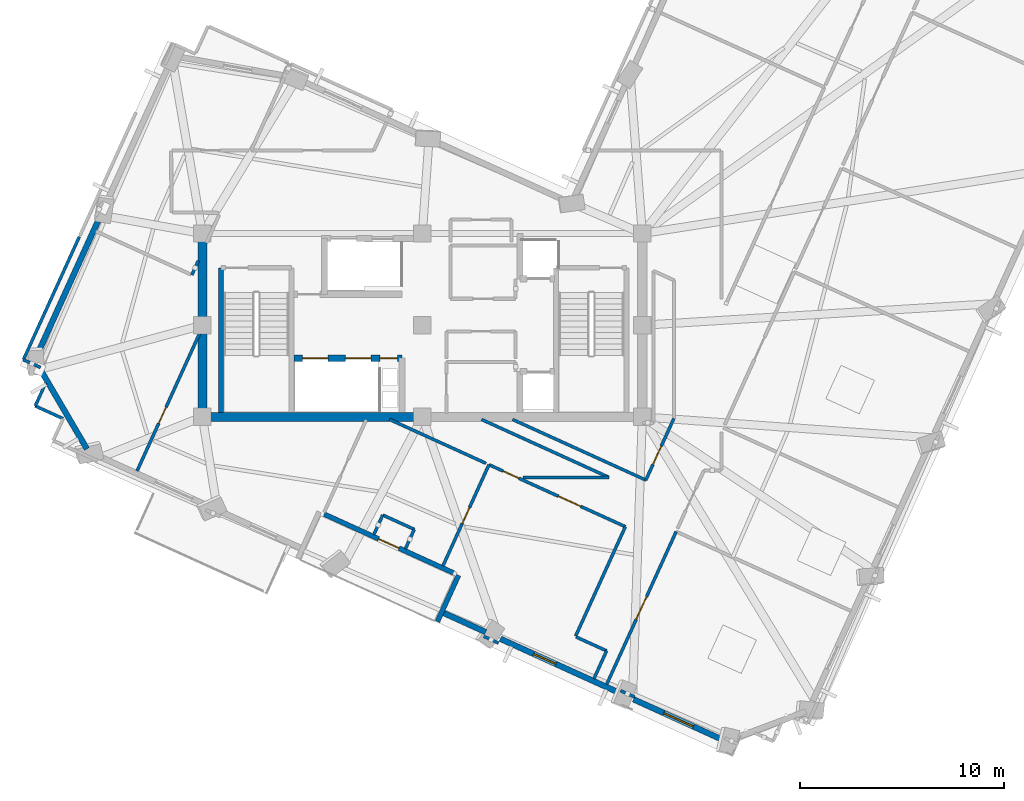
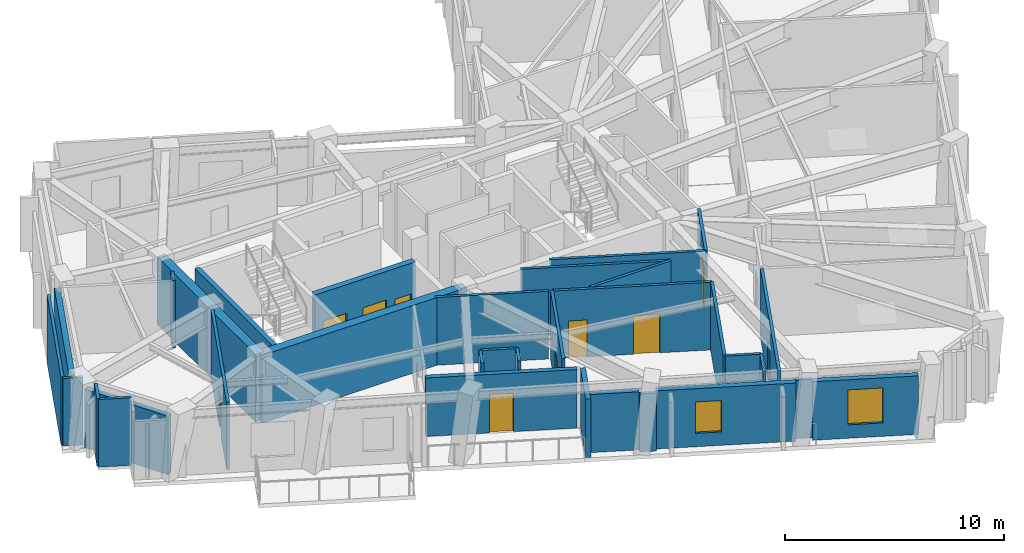
# One storey, part 5 of 13: 33 walls, 10 doors, 2 windows, 12 openings.
"""IFC4 building model written with IfcOpenShell, lengths in metres."""

from ifc_helpers import new_model, si_unit, direction, frame, frame_2d, origin, place, context, subcontext, project, spatial, rectangle, extrude, material, layer, layer_set, type_object, element, fill, save


model = new_model("IFC4")

# Units and contexts
model_context = context("Model", 3, precision=1e-05, world=origin(), true_north=direction((0.0, 1.0)))
body_context = subcontext(model_context, "Body", "Model", "MODEL_VIEW")
ifc_project = project(units=[si_unit("LENGTHUNIT", "METRE"), si_unit("AREAUNIT", "SQUARE_METRE"), si_unit("VOLUMEUNIT", "CUBIC_METRE"), si_unit("PLANEANGLEUNIT", "RADIAN"), si_unit("MASSUNIT", "GRAM", prefix="KILO")], contexts=[model_context])

# Site, building, storey
site_placement = place(None, origin())
site = spatial("IfcSite", under=ifc_project, at=site_placement, CompositionType="ELEMENT")
building_placement = place(site_placement, origin())
building = spatial("IfcBuilding", under=site, at=building_placement, Name="Gaonmaruhae Medical Tower", CompositionType="ELEMENT")
storey_placement = place(building_placement, frame((0.0, 0.0, 304.60009765625)))
storey = spatial("IfcBuildingStorey", under=building, at=storey_placement, Name="L73", CompositionType="ELEMENT", Elevation=304.60009765625)

# Walls
ifc_material_1 = material(Name="Concrete C50/60", Category="concrete")
ifc_layer_1 = layer(ifc_material_1, 0.449951171875)
ifc_layer_set_1 = layer_set([ifc_layer_1], Name="Concrete C50/60")
wall_type_1 = type_object("IfcWallType", Name="CW-450 Upper Core Shear Wall", PredefinedType="SHEAR", material=ifc_layer_set_1)
wall_1_placement = place(storey_placement, frame((14.0, 7.800048828125, 0.0), z_axis=(0.0, 0.0, 1.0), x_axis=(1.0, 0.0, 0.0)))
element("IfcWall", 1, at=wall_1_placement, inside=storey, type_object=wall_type_1, Name="L73 Core Shear Wall CSW-S1", PredefinedType="SHEAR", context=body_context, shape_type="SweptSolid", body=[
    extrude(rectangle(XDim=10.800048828125, YDim=0.449951171875, at=frame_2d((5.39990234375, 0.0))), origin(), (0.0, 0.0, 1.0), 3.77978515625),
])
wall_2_placement = place(storey_placement, frame((14.0, 16.800048828125, 0.0), z_axis=(0.0, 0.0, 1.0), x_axis=(0.0, -1.0, 0.0)))
element("IfcWall", 2, at=wall_2_placement, inside=storey, type_object=wall_type_1, Name="L73 Core Shear Wall CSW-W1", PredefinedType="SHEAR", context=body_context, shape_type="SweptSolid", body=[
    extrude(rectangle(XDim=9.0, YDim=0.449951171875, at=frame_2d((4.5, 0.0))), origin(), (0.0, 0.0, 1.0), 3.77978515625),
])

# Wall, opening, door
ifc_material_2 = material(Name="Precast concrete C45/55", Category="concrete")
ifc_layer_2 = layer(ifc_material_2, 0.239990234375)
ifc_layer_set_2 = layer_set([ifc_layer_2], Name="Precast concrete C45/55")
wall_type_2 = type_object("IfcWallType", Name="EW-240 Ribbon & Shelter Insulated Precast Wall", PredefinedType="SOLIDWALL", material=ifc_layer_set_2)
wall_3_placement = place(storey_placement, frame((26.321044921875, 0.141357421875, 0.0), z_axis=(0.0, 0.0, 1.0), x_axis=(-0.910318420634, 0.413908653032, 0.0)))
wall_3 = element("IfcWall", 3, at=wall_3_placement, inside=storey, type_object=wall_type_2, Name="L73 Recessed Terrace Enclosure Wall TERB", PredefinedType="SOLIDWALL", context=body_context, shape_type="SweptSolid", body=[
    extrude(rectangle(XDim=6.960205078125, YDim=0.239990234375, at=frame_2d((3.47998046875, 0.0))), origin(), (0.0, 0.0, 1.0), 3.264892578125),
])
opening_1_placement = place(wall_3_placement, frame((2.929931640625, 0.0, 0.0)))
opening_1 = element("IfcOpeningElement", 4, at=opening_1_placement, cuts=wall_3, Name="Opening TD-01", PredefinedType="OPENING", context=body_context, shape_type="SweptSolid", body=[
    extrude(rectangle(XDim=1.10009765625, YDim=2.14990234375, at=frame_2d((0.550048828125, 1.074951171875))), frame((0.0, 0.1298828125, 0.0), z_axis=(0.0, -1.0, 0.0), x_axis=(1.0, 0.0, 0.0)), (0.0, 0.0, 1.0), 0.260009765625),
])
ifc_material_3 = material(Name="Anodised aluminium and toughened safety glass", Category="aluminium")
door_type_1 = type_object("IfcDoorType", Name="TD-01 Terrace & Sky Garden Glazed Door 1100x2150", OperationType="NOTDEFINED", PredefinedType="DOOR", material=ifc_material_3)
door_1_placement = place(opening_1_placement, origin())
door_1 = element("IfcDoor", 5, at=door_1_placement, inside=storey, type_object=door_type_1, Name="L73 Outdoor Terrace Access Door SLB-L73-TER", OperationType="SINGLE_SWING_RIGHT", OverallHeight=2.14990234375, OverallWidth=1.10009765625, PredefinedType="DOOR", context=body_context, shape_type="SweptSolid", body=[
    extrude(rectangle(XDim=1.10009765625, YDim=2.14990234375, at=frame_2d((0.550048828125, 1.074951171875))), frame((0.0, 0.02490234375, 0.0), z_axis=(0.0, -1.0, 0.0), x_axis=(1.0, 0.0, 0.0)), (0.0, 0.0, 1.0), 0.050048828125),
])
fill(opening_1, door_1)

# Walls
wall_4_placement = place(storey_placement, frame((25.541259765625, -2.250244140625, 0.0), z_axis=(0.0, 0.0, 1.0), x_axis=(0.413898598891, 0.91032299204, 0.0)))
element("IfcWall", 6, at=wall_4_placement, inside=storey, type_object=wall_type_2, Name="L73 Recessed Terrace Enclosure Wall TERL", PredefinedType="SOLIDWALL", context=body_context, shape_type="SweptSolid", body=[
    extrude(rectangle(XDim=2.499755859375, YDim=0.239990234375, at=frame_2d((1.25, 0.0))), origin(), (0.0, 0.0, 1.0), 3.264892578125),
])
ifc_layer_3 = layer(ifc_material_2, 0.280029296875)
ifc_layer_set_3 = layer_set([ifc_layer_3], Name="Precast concrete C45/55")
wall_type_3 = type_object("IfcWallType", Name="EW-280 Upper Precast Masonry-Frame Facade Wall", PredefinedType="SOLIDWALL", material=ifc_layer_set_3)
wall_5_placement = place(storey_placement, frame((5.849609375, 10.75830078125, 0.0), z_axis=(0.0, 0.0, 1.0), x_axis=(0.41389878739, 0.910322906334, 0.0)))
element("IfcWall", 7, at=wall_5_placement, inside=storey, type_object=wall_type_3, Name="L73 Precast Masonry-Frame Wall N02-N03", PredefinedType="SOLIDWALL", context=body_context, shape_type="SweptSolid", body=[
    extrude(rectangle(XDim=7.484619140625, YDim=0.280029296875, at=frame_2d((3.7421875, 0.0))), origin(), (0.0, 0.0, 1.0), 3.264892578125),
])
wall_6_placement = place(storey_placement, frame((8.331787109375, 6.221923828125, 0.0), z_axis=(0.0, 0.0, 1.0), x_axis=(-0.505000103643, 0.863119282209, 0.0)))
element("IfcWall", 8, at=wall_6_placement, inside=storey, type_object=wall_type_3, Name="L73 Precast Masonry-Frame Wall N03-W01", PredefinedType="SOLIDWALL", context=body_context, shape_type="SweptSolid", body=[
    extrude(rectangle(XDim=4.407958984375, YDim=0.280029296875, at=frame_2d((2.2041015625, 0.0))), origin(), (0.0, 0.0, 1.0), 3.264892578125),
])
wall_7_placement = place(storey_placement, frame((27.912841796875, -2.768310546875, 0.0), z_axis=(0.0, 0.0, 1.0), x_axis=(-0.910313179129, 0.413920180595, 0.0)))
element("IfcWall", 9, at=wall_7_placement, inside=storey, type_object=wall_type_3, Name="L73 Precast Masonry-Frame Wall W03-W04", PredefinedType="SOLIDWALL", context=body_context, shape_type="SweptSolid", body=[
    extrude(rectangle(XDim=2.353515625, YDim=0.280029296875, at=frame_2d((1.1767578125, 0.0))), origin(), (0.0, 0.0, 1.0), 3.244873046875),
])

# Wall, opening, window
wall_8_placement = place(storey_placement, frame((34.478515625, -5.753662109375, 0.0), z_axis=(0.0, 0.0, 1.0), x_axis=(-0.910317021568, 0.413911730014, 0.0)))
wall_8 = element("IfcWall", 10, at=wall_8_placement, inside=storey, type_object=wall_type_3, Name="L73 Precast Masonry-Frame Wall W04-W05", PredefinedType="SOLIDWALL", context=body_context, shape_type="SweptSolid", body=[
    extrude(rectangle(XDim=6.425048828125, YDim=0.280029296875, at=frame_2d((3.21240234375, 0.0))), origin(), (0.0, 0.0, 1.0), 3.244873046875),
])
opening_2_placement = place(wall_8_placement, frame((3.431884765625, 0.0, 0.75)))
opening_2 = element("IfcOpeningElement", 11, at=opening_2_placement, cuts=wall_8, Name="Opening WN-05", PredefinedType="OPENING", context=body_context, shape_type="SweptSolid", body=[
    extrude(rectangle(XDim=1.199951171875, YDim=1.75, at=frame_2d((0.60009765625, 0.875))), frame((0.0, 0.14990234375, 0.0), z_axis=(0.0, -1.0, 0.0), x_axis=(1.0, 0.0, 0.0)), (0.0, 0.0, 1.0), 0.300048828125),
])
ifc_material_4 = material(Name="Anodised aluminium and Low-E double glazing", Category="aluminium")
window_type_1 = type_object("IfcWindowType", Name="WN-05 Support & Staff Punched Window 1200x1750", PartitioningType="SINGLE_PANEL", PredefinedType="WINDOW", material=ifc_material_4)
window_1_placement = place(opening_2_placement, origin())
window_1 = element("IfcWindow", 12, at=window_1_placement, inside=storey, type_object=window_type_1, Name="L73 Modular Facade Window W04", OverallHeight=1.75, OverallWidth=1.199951171875, PartitioningType="SINGLE_PANEL", PredefinedType="WINDOW", context=body_context, shape_type="SweptSolid", body=[
    extrude(rectangle(XDim=1.199951171875, YDim=1.75, at=frame_2d((0.60009765625, 0.875))), frame((0.0, 0.030029296875, 0.0), z_axis=(0.0, -1.0, 0.0), x_axis=(1.0, 0.0, 0.0)), (0.0, 0.0, 1.0), 0.06005859375),
])
fill(opening_2, window_1)

wall_9_placement = place(storey_placement, frame((39.591796875, -8.078369140625, 0.0), z_axis=(0.0, 0.0, 1.0), x_axis=(-0.910319979906, 0.413905223672, 0.0)))
wall_9 = element("IfcWall", 13, at=wall_9_placement, inside=storey, type_object=wall_type_3, Name="L73 Precast Masonry-Frame Wall W05-W06", PredefinedType="SOLIDWALL", context=body_context, shape_type="SweptSolid", body=[
    extrude(rectangle(XDim=4.855712890625, YDim=0.280029296875, at=frame_2d((2.427734375, 0.0))), origin(), (0.0, 0.0, 1.0), 3.264892578125),
])
opening_3_placement = place(wall_9_placement, frame((1.632568359375, 0.0, 0.75)))
opening_3 = element("IfcOpeningElement", 14, at=opening_3_placement, cuts=wall_9, Name="Opening WN-01", PredefinedType="OPENING", context=body_context, shape_type="SweptSolid", body=[
    extrude(rectangle(XDim=1.60009765625, YDim=1.949951171875, at=frame_2d((0.800048828125, 0.97509765625))), frame((0.0, 0.14990234375, 0.0), z_axis=(0.0, -1.0, 0.0), x_axis=(1.0, 0.0, 0.0)), (0.0, 0.0, 1.0), 0.300048828125),
])
window_type_2 = type_object("IfcWindowType", Name="WN-01 Ward Punched Acoustic Window 1600x1950", PartitioningType="SINGLE_PANEL", PredefinedType="WINDOW", material=ifc_material_4)
window_2_placement = place(opening_3_placement, origin())
window_2 = element("IfcWindow", 15, at=window_2_placement, inside=storey, type_object=window_type_2, Name="L73 Modular Facade Window W05", OverallHeight=1.949951171875, OverallWidth=1.60009765625, PartitioningType="SINGLE_PANEL", PredefinedType="WINDOW", context=body_context, shape_type="SweptSolid", body=[
    extrude(rectangle(XDim=1.60009765625, YDim=1.949951171875, at=frame_2d((0.800048828125, 0.97509765625))), frame((0.0, 0.030029296875, 0.0), z_axis=(0.0, -1.0, 0.0), x_axis=(1.0, 0.0, 0.0)), (0.0, 0.0, 1.0), 0.06005859375),
])
fill(opening_3, window_2)

# Wall
ifc_material_5 = material(Name="Gypsum board partition", Category="gypsum")
ifc_layer_4 = layer(ifc_material_5, 0.14990234375)
ifc_layer_set_4 = layer_set([ifc_layer_4], Name="Gypsum board partition")
wall_type_4 = type_object("IfcWallType", Name="PW-150 Rated Clinical Corridor Partition", PredefinedType="PARTITIONING", material=ifc_layer_set_4)
wall_10_placement = place(storey_placement, frame((35.222900390625, -5.955078125, 0.0), z_axis=(0.0, 0.0, 1.0), x_axis=(-0.910245613869, 0.414068741193, 0.0)))
element("IfcWall", 16, at=wall_10_placement, inside=storey, type_object=wall_type_4, Name="L73 Interior Partition L73-SUP01-16", PredefinedType="PARTITIONING", context=body_context, shape_type="SweptSolid", body=[
    extrude(rectangle(XDim=0.76123046875, YDim=0.14990234375, at=frame_2d((0.380615234375, 0.0))), origin(), (0.0, 0.0, 1.0), 3.264892578125),
])

# Wall, opening, door
wall_11_placement = place(storey_placement, frame((33.85107421875, -5.3310546875, 0.0), z_axis=(0.0, 0.0, 1.0), x_axis=(0.413939108793, 0.910304572224, 0.0)))
wall_11 = element("IfcWall", 17, at=wall_11_placement, inside=storey, type_object=wall_type_4, Name="L73 Interior Partition L73-SUP01-17", PredefinedType="PARTITIONING", context=body_context, shape_type="SweptSolid", body=[
    extrude(rectangle(XDim=8.239990234375, YDim=0.14990234375, at=frame_2d((4.1201171875, 0.0))), origin(), (0.0, 0.0, 1.0), 3.77978515625),
])
opening_4_placement = place(wall_11_placement, frame((3.52001953125, 0.0, 0.0)))
opening_4 = element("IfcOpeningElement", 18, at=opening_4_placement, cuts=wall_11, Name="Opening CD-02", PredefinedType="OPENING", context=body_context, shape_type="SweptSolid", body=[
    extrude(rectangle(XDim=1.199951171875, YDim=2.14990234375, at=frame_2d((0.60009765625, 1.074951171875))), frame((0.0, 0.0849609375, 0.0), z_axis=(0.0, -1.0, 0.0), x_axis=(1.0, 0.0, 0.0)), (0.0, 0.0, 1.0), 0.169921875),
])
ifc_material_6 = material(Name="Antimicrobial laminate timber fire door", Category="wood")
door_type_2 = type_object("IfcDoorType", Name="CD-02 Clinical Treatment & Procedure Door 1200x2150", OperationType="NOTDEFINED", PredefinedType="DOOR", material=ifc_material_6)
door_2_placement = place(opening_4_placement, origin())
door_2 = element("IfcDoor", 19, at=door_2_placement, inside=storey, type_object=door_type_2, Name="L73 Clinical Biomedical Charting Office Door", OperationType="SINGLE_SWING_RIGHT", OverallHeight=2.14990234375, OverallWidth=1.199951171875, PredefinedType="DOOR", context=body_context, shape_type="SweptSolid", body=[
    extrude(rectangle(XDim=1.199951171875, YDim=2.14990234375, at=frame_2d((0.60009765625, 1.074951171875))), frame((0.0, 0.02490234375, 0.0), z_axis=(0.0, -1.0, 0.0), x_axis=(1.0, 0.0, 0.0)), (0.0, 0.0, 1.0), 0.050048828125),
])
fill(opening_4, door_2)

# Walls
wall_12_placement = place(storey_placement, frame((32.340087890625, -3.001953125, 0.0), z_axis=(0.0, 0.0, 1.0), x_axis=(0.910336167928, -0.413869618796, 0.0)))
element("IfcWall", 20, at=wall_12_placement, inside=storey, type_object=wall_type_4, Name="L73 Interior Partition L73-WOF07-41", PredefinedType="PARTITIONING", context=body_context, shape_type="SweptSolid", body=[
    extrude(rectangle(XDim=1.6552734375, YDim=0.14990234375, at=frame_2d((0.82763671875, 0.0))), origin(), (0.0, 0.0, 1.0), 3.77978515625),
])
wall_13_placement = place(storey_placement, frame((33.846923828125, -3.68701171875, 0.0), z_axis=(0.0, 0.0, 1.0), x_axis=(-0.413876284691, -0.910333137357, 0.0)))
element("IfcWall", 21, at=wall_13_placement, inside=storey, type_object=wall_type_4, Name="L73 Interior Partition L73-WOF07-42", PredefinedType="PARTITIONING", context=body_context, shape_type="SweptSolid", body=[
    extrude(rectangle(XDim=1.5048828125, YDim=0.14990234375, at=frame_2d((0.75244140625, 0.0))), origin(), (0.0, 0.0, 1.0), 3.77978515625),
])
wall_14_placement = place(storey_placement, frame((28.533935546875, -3.303955078125, 0.0), z_axis=(0.0, 0.0, 1.0), x_axis=(-0.910100534036, 0.414387521466, 0.0)))
element("IfcWall", 22, at=wall_14_placement, inside=storey, type_object=wall_type_4, Name="L73 Interior Partition L73-WOF07-43", PredefinedType="PARTITIONING", context=body_context, shape_type="SweptSolid", body=[
    extrude(rectangle(XDim=0.78662109375, YDim=0.14990234375, at=frame_2d((0.393310546875, 0.0))), origin(), (0.0, 0.0, 1.0), 3.244873046875),
])

# Wall, opening, door
wall_15_placement = place(storey_placement, frame((25.80908203125, 0.47802734375, 0.0), z_axis=(0.0, 0.0, 1.0), x_axis=(0.414051982824, 0.910253237028, 0.0)))
wall_15 = element("IfcWall", 23, at=wall_15_placement, inside=storey, type_object=wall_type_4, Name="L73 Interior Partition L73-WOF07-44", PredefinedType="PARTITIONING", context=body_context, shape_type="SweptSolid", body=[
    extrude(rectangle(XDim=5.46533203125, YDim=0.14990234375, at=frame_2d((2.732666015625, 0.0))), origin(), (0.0, 0.0, 1.0), 3.77978515625),
])
opening_5_placement = place(wall_15_placement, frame((2.302734375, 0.0, 0.0)))
opening_5 = element("IfcOpeningElement", 24, at=opening_5_placement, cuts=wall_15, Name="Opening AD-01", PredefinedType="OPENING", context=body_context, shape_type="SweptSolid", body=[
    extrude(rectangle(XDim=0.860107421875, YDim=2.06005859375, at=frame_2d((0.43017578125, 1.030029296875))), frame((0.0, 0.0849609375, 0.0), z_axis=(0.0, -1.0, 0.0), x_axis=(1.0, 0.0, 0.0)), (0.0, 0.0, 1.0), 0.169921875),
])
ifc_material_7 = material(Name="Powder-coated steel access door", Category="steel")
door_type_3 = type_object("IfcDoorType", Name="AD-01 Riser & Closet Access Fire Door 860x2060", OperationType="NOTDEFINED", PredefinedType="DOOR", material=ifc_material_7)
door_3_placement = place(opening_5_placement, origin())
door_3 = element("IfcDoor", 25, at=door_3_placement, inside=storey, type_object=door_type_3, Name="L73 Ward Physician Reporting Office Sliding Door", OperationType="SLIDING_TO_LEFT", OverallHeight=2.06005859375, OverallWidth=0.860107421875, PredefinedType="DOOR", context=body_context, shape_type="SweptSolid", body=[
    extrude(rectangle(XDim=0.860107421875, YDim=2.06005859375, at=frame_2d((0.43017578125, 1.030029296875))), frame((0.0, 0.02490234375, 0.0), z_axis=(0.0, -1.0, 0.0), x_axis=(1.0, 0.0, 0.0)), (0.0, 0.0, 1.0), 0.050048828125),
])
fill(opening_5, door_3)

# Wall, openings, doors
wall_16_placement = place(storey_placement, frame((28.072021484375, 5.452880859375, 0.0), z_axis=(0.0, 0.0, 1.0), x_axis=(0.910328957898, -0.413885477412, 0.0)))
wall_16 = element("IfcWall", 26, at=wall_16_placement, inside=storey, type_object=wall_type_4, Name="L73 Interior Partition L73-WOF07-45", PredefinedType="PARTITIONING", context=body_context, shape_type="SweptSolid", body=[
    extrude(rectangle(XDim=7.3544921875, YDim=0.14990234375, at=frame_2d((3.67724609375, 0.0))), origin(), (0.0, 0.0, 1.0), 3.77978515625),
])
opening_6_placement = place(wall_16_placement, frame((3.74853515625, 0.0, 0.0)))
opening_6 = element("IfcOpeningElement", 27, at=opening_6_placement, cuts=wall_16, Name="Opening CD-02", PredefinedType="OPENING", context=body_context, shape_type="SweptSolid", body=[
    extrude(rectangle(XDim=1.199951171875, YDim=2.14990234375, at=frame_2d((0.60009765625, 1.074951171875))), frame((0.0, 0.0849609375, 0.0), z_axis=(0.0, -1.0, 0.0), x_axis=(1.0, 0.0, 0.0)), (0.0, 0.0, 1.0), 0.169921875),
])
opening_7_placement = place(wall_16_placement, frame((0.7548828125, 0.0, 0.0)))
opening_7 = element("IfcOpeningElement", 28, at=opening_7_placement, cuts=wall_16, Name="Opening AD-01", PredefinedType="OPENING", context=body_context, shape_type="SweptSolid", body=[
    extrude(rectangle(XDim=0.860107421875, YDim=2.06005859375, at=frame_2d((0.43017578125, 1.030029296875))), frame((0.0, 0.0849609375, 0.0), z_axis=(0.0, -1.0, 0.0), x_axis=(1.0, 0.0, 0.0)), (0.0, 0.0, 1.0), 0.169921875),
])
door_4_placement = place(opening_7_placement, origin())
door_4 = element("IfcDoor", 29, at=door_4_placement, inside=storey, type_object=door_type_3, Name="L73 Clinical Case Review Office Sliding Door", OperationType="SLIDING_TO_LEFT", OverallHeight=2.06005859375, OverallWidth=0.860107421875, PredefinedType="DOOR", context=body_context, shape_type="SweptSolid", body=[
    extrude(rectangle(XDim=0.860107421875, YDim=2.06005859375, at=frame_2d((0.43017578125, 1.030029296875))), frame((0.0, 0.02490234375, 0.0), z_axis=(0.0, -1.0, 0.0), x_axis=(1.0, 0.0, 0.0)), (0.0, 0.0, 1.0), 0.050048828125),
])
fill(opening_7, door_4)
door_5_placement = place(opening_6_placement, origin())
door_5 = element("IfcDoor", 30, at=door_5_placement, inside=storey, type_object=door_type_2, Name="L73 Ward Physician Reporting Office Door", OperationType="SINGLE_SWING_LEFT", OverallHeight=2.14990234375, OverallWidth=1.199951171875, PredefinedType="DOOR", context=body_context, shape_type="SweptSolid", body=[
    extrude(rectangle(XDim=1.199951171875, YDim=2.14990234375, at=frame_2d((0.60009765625, 1.074951171875))), frame((0.0, 0.02490234375, 0.0), z_axis=(0.0, -1.0, 0.0), x_axis=(1.0, 0.0, 0.0)), (0.0, 0.0, 1.0), 0.050048828125),
])
fill(opening_6, door_5)

# Walls
wall_17_placement = place(storey_placement, frame((34.76708984375, 2.408935546875, 0.0), z_axis=(0.0, 0.0, 1.0), x_axis=(-0.413855914094, -0.910342398425, 0.0)))
element("IfcWall", 31, at=wall_17_placement, inside=storey, type_object=wall_type_4, Name="L73 Interior Partition L73-WOF07-46", PredefinedType="PARTITIONING", context=body_context, shape_type="SweptSolid", body=[
    extrude(rectangle(XDim=5.9033203125, YDim=0.14990234375, at=frame_2d((2.95166015625, 0.0))), origin(), (0.0, 0.0, 1.0), 3.77978515625),
])
wall_18_placement = place(storey_placement, frame((23.966064453125, 1.31689453125, 0.0), z_axis=(0.0, 0.0, 1.0), x_axis=(0.414238787533, 0.910168240988, 0.0)))
element("IfcWall", 32, at=wall_18_placement, inside=storey, type_object=wall_type_4, Name="L73 Interior Partition L73-WOF08-47", PredefinedType="PARTITIONING", context=body_context, shape_type="SweptSolid", body=[
    extrude(rectangle(XDim=1.054931640625, YDim=0.14990234375, at=frame_2d((0.52734375, 0.0))), origin(), (0.0, 0.0, 1.0), 3.77978515625),
])
wall_19_placement = place(storey_placement, frame((24.403076171875, 2.277099609375, 0.0), z_axis=(0.0, 0.0, 1.0), x_axis=(-0.910543430544, 0.413413426358, 0.0)))
element("IfcWall", 33, at=wall_19_placement, inside=storey, type_object=wall_type_4, Name="L73 Interior Partition L73-WOF08-48", PredefinedType="PARTITIONING", context=body_context, shape_type="SweptSolid", body=[
    extrude(rectangle(XDim=1.7001953125, YDim=0.14990234375, at=frame_2d((0.85009765625, 0.0))), origin(), (0.0, 0.0, 1.0), 3.77978515625),
])
wall_20_placement = place(storey_placement, frame((22.85498046875, 2.97998046875, 0.0), z_axis=(0.0, 0.0, 1.0), x_axis=(-0.414326054961, -0.910128518496, 0.0)))
element("IfcWall", 34, at=wall_20_placement, inside=storey, type_object=wall_type_4, Name="L73 Interior Partition L73-WOF08-49", PredefinedType="PARTITIONING", context=body_context, shape_type="SweptSolid", body=[
    extrude(rectangle(XDim=1.0546875, YDim=0.14990234375, at=frame_2d((0.52734375, 0.0))), origin(), (0.0, 0.0, 1.0), 3.77978515625),
])
wall_21_placement = place(storey_placement, frame((23.18505859375, 7.675048828125, 0.0), z_axis=(0.0, 0.0, 1.0), x_axis=(0.910292616599, -0.413965399721, 0.0)))
element("IfcWall", 35, at=wall_21_placement, inside=storey, type_object=wall_type_4, Name="L73 Interior Partition L73-WOF08-51", PredefinedType="PARTITIONING", context=body_context, shape_type="SweptSolid", body=[
    extrude(rectangle(XDim=5.208251953125, YDim=0.14990234375, at=frame_2d((2.60400390625, 0.0))), origin(), (0.0, 0.0, 1.0), 3.77978515625),
])

# Wall, opening, door
wall_22_placement = place(storey_placement, frame((10.79296875, 5.14208984375, 0.0), z_axis=(0.0, 0.0, 1.0), x_axis=(0.413936344261, 0.910305829323, 0.0)))
wall_22 = element("IfcWall", 36, at=wall_22_placement, inside=storey, type_object=wall_type_4, Name="L73 Interior Partition L73-WOF09-53", PredefinedType="PARTITIONING", context=body_context, shape_type="SweptSolid", body=[
    extrude(rectangle(XDim=7.445556640625, YDim=0.14990234375, at=frame_2d((3.72265625, 0.0))), origin(), (0.0, 0.0, 1.0), 3.77978515625),
])
opening_8_placement = place(wall_22_placement, frame((2.5771484375, 0.0, 0.0)))
opening_8 = element("IfcOpeningElement", 37, at=opening_8_placement, cuts=wall_22, Name="Opening AD-01", PredefinedType="OPENING", context=body_context, shape_type="SweptSolid", body=[
    extrude(rectangle(XDim=0.860107421875, YDim=2.06005859375, at=frame_2d((0.43017578125, 1.030029296875))), frame((0.0, 0.0849609375, 0.0), z_axis=(0.0, -1.0, 0.0), x_axis=(1.0, 0.0, 0.0)), (0.0, 0.0, 1.0), 0.169921875),
])
door_6_placement = place(opening_8_placement, origin())
door_6 = element("IfcDoor", 38, at=door_6_placement, inside=storey, type_object=door_type_3, Name="L73 Ward Physician Reporting Office Sliding Door", OperationType="SLIDING_TO_LEFT", OverallHeight=2.06005859375, OverallWidth=0.860107421875, PredefinedType="DOOR", context=body_context, shape_type="SweptSolid", body=[
    extrude(rectangle(XDim=0.860107421875, YDim=2.06005859375, at=frame_2d((0.43017578125, 1.030029296875))), frame((0.0, 0.02490234375, 0.0), z_axis=(0.0, -1.0, 0.0), x_axis=(1.0, 0.0, 0.0)), (0.0, 0.0, 1.0), 0.050048828125),
])
fill(opening_8, door_6)

# Walls
wall_23_placement = place(storey_placement, frame((7.156005859375, 7.712890625, 0.0), z_axis=(0.0, 0.0, 1.0), x_axis=(-0.91020472483, 0.414158615626, 0.0)))
element("IfcWall", 39, at=wall_23_placement, inside=storey, type_object=wall_type_4, Name="L73 Interior Partition L73-WOF10-56", PredefinedType="PARTITIONING", context=body_context, shape_type="SweptSolid", body=[
    extrude(rectangle(XDim=1.499755859375, YDim=0.14990234375, at=frame_2d((0.75, 0.0))), origin(), (0.0, 0.0, 1.0), 3.77978515625),
])
wall_24_placement = place(storey_placement, frame((5.791015625, 8.333984375, 0.0), z_axis=(0.0, 0.0, 1.0), x_axis=(0.414263415126, 0.910157031994, 0.0)))
element("IfcWall", 40, at=wall_24_placement, inside=storey, type_object=wall_type_4, Name="L73 Interior Partition L73-WOF10-57", PredefinedType="PARTITIONING", context=body_context, shape_type="SweptSolid", body=[
    extrude(rectangle(XDim=1.23828125, YDim=0.14990234375, at=frame_2d((0.619140625, 0.0))), origin(), (0.0, 0.0, 1.0), 3.77978515625),
])
wall_25_placement = place(storey_placement, frame((35.77392578125, 4.697021484375, 0.0), z_axis=(0.0, 0.0, 1.0), x_axis=(-0.910299058276, 0.413951234449, 0.0)))
element("IfcWall", 41, at=wall_25_placement, inside=storey, type_object=wall_type_4, Name="L73 Interior Partition L73-IE01-60", PredefinedType="PARTITIONING", context=body_context, shape_type="SweptSolid", body=[
    extrude(rectangle(XDim=7.194091796875, YDim=0.14990234375, at=frame_2d((3.59716796875, 0.0))), origin(), (0.0, 0.0, 1.0), 3.77978515625),
])

# Wall, opening, door
wall_26_placement = place(storey_placement, frame((37.14990234375, 7.722900390625, 0.0), z_axis=(0.0, 0.0, 1.0), x_axis=(-0.413946814598, -0.910301068155, 0.0)))
wall_26 = element("IfcWall", 42, at=wall_26_placement, inside=storey, type_object=wall_type_4, Name="L73 Interior Partition L73-IE01-65", PredefinedType="PARTITIONING", context=body_context, shape_type="SweptSolid", body=[
    extrude(rectangle(XDim=3.323974609375, YDim=0.14990234375, at=frame_2d((1.662109375, 0.0))), origin(), (0.0, 0.0, 1.0), 3.77978515625),
])
opening_9_placement = place(wall_26_placement, frame((1.4794921875, 0.0, 0.0)))
opening_9 = element("IfcOpeningElement", 43, at=opening_9_placement, cuts=wall_26, Name="Opening CD-01", PredefinedType="OPENING", context=body_context, shape_type="SweptSolid", body=[
    extrude(rectangle(XDim=1.0, YDim=2.1201171875, at=frame_2d((0.5, 1.06005859375))), frame((0.0, 0.0849609375, 0.0), z_axis=(0.0, -1.0, 0.0), x_axis=(1.0, 0.0, 0.0)), (0.0, 0.0, 1.0), 0.169921875),
])
door_type_4 = type_object("IfcDoorType", Name="CD-01 Consultation & Physician Office Door 1000x2120", OperationType="NOTDEFINED", PredefinedType="DOOR", material=ifc_material_6)
door_7_placement = place(opening_9_placement, origin())
door_7 = element("IfcDoor", 44, at=door_7_placement, inside=storey, type_object=door_type_4, Name="L73 Central Clinical Nurse Station Door", OperationType="SINGLE_SWING_RIGHT", OverallHeight=2.1201171875, OverallWidth=1.0, PredefinedType="DOOR", context=body_context, shape_type="SweptSolid", body=[
    extrude(rectangle(XDim=1.0, YDim=2.1201171875, at=frame_2d((0.5, 1.06005859375))), frame((0.0, 0.02490234375, 0.0), z_axis=(0.0, -1.0, 0.0), x_axis=(1.0, 0.0, 0.0)), (0.0, 0.0, 1.0), 0.050048828125),
])
fill(opening_9, door_7)

# Walls
wall_27_placement = place(storey_placement, frame((13.800048828125, 15.464111328125, 0.0), z_axis=(0.0, 0.0, 1.0), x_axis=(-0.414139199178, -0.910213559394, 0.0)))
element("IfcWall", 45, at=wall_27_placement, inside=storey, type_object=wall_type_4, Name="L73 Interior Partition L73-IN03-91", PredefinedType="PARTITIONING", context=body_context, shape_type="SweptSolid", body=[
    extrude(rectangle(XDim=0.765869140625, YDim=0.14990234375, at=frame_2d((0.3828125, 0.0))), origin(), (0.0, 0.0, 1.0), 3.77978515625),
])
wall_28_placement = place(storey_placement, frame((27.702880859375, 7.675048828125, 0.0), z_axis=(0.0, 0.0, 1.0), x_axis=(0.910320248234, -0.413904633527, 0.0)))
element("IfcWall", 46, at=wall_28_placement, inside=storey, type_object=wall_type_4, Name="L73 Interior Partition L73-RM01-99", PredefinedType="PARTITIONING", context=body_context, shape_type="SweptSolid", body=[
    extrude(rectangle(XDim=6.87353515625, YDim=0.14990234375, at=frame_2d((3.436767578125, 0.0))), origin(), (0.0, 0.0, 1.0), 3.77978515625),
])
wall_29_placement = place(storey_placement, frame((33.9599609375, 4.830078125, 0.0), z_axis=(0.0, 0.0, 1.0), x_axis=(-1.0, 0.0, 0.0)))
element("IfcWall", 47, at=wall_29_placement, inside=storey, type_object=wall_type_4, Name="L73 Interior Partition L73-RM01-100", PredefinedType="PARTITIONING", context=body_context, shape_type="SweptSolid", body=[
    extrude(rectangle(XDim=4.212890625, YDim=0.14990234375, at=frame_2d((2.1064453125, 0.0))), origin(), (0.0, 0.0, 1.0), 3.77978515625),
])
wall_30_placement = place(storey_placement, frame((5.2099609375, 10.60791015625, 0.0), z_axis=(0.0, 0.0, 1.0), x_axis=(0.41388882426, 0.91032743623, 0.0)))
element("IfcWall", 48, at=wall_30_placement, inside=storey, type_object=wall_type_4, Name="L73 Interior Partition L73-RM02-101", PredefinedType="PARTITIONING", context=body_context, shape_type="SweptSolid", body=[
    extrude(rectangle(XDim=6.6396484375, YDim=0.14990234375, at=frame_2d((3.31982421875, 0.0))), origin(), (0.0, 0.0, 1.0), 3.77978515625),
])
wall_31_placement = place(storey_placement, frame((6.052001953125, 10.22509765625, 0.0), z_axis=(0.0, 0.0, 1.0), x_axis=(-0.910339358078, 0.413862601759, 0.0)))
element("IfcWall", 49, at=wall_31_placement, inside=storey, type_object=wall_type_4, Name="L73 Interior Partition L73-RM02-103", PredefinedType="PARTITIONING", context=body_context, shape_type="SweptSolid", body=[
    extrude(rectangle(XDim=0.925048828125, YDim=0.14990234375, at=frame_2d((0.46240234375, 0.0))), origin(), (0.0, 0.0, 1.0), 3.77978515625),
])
ifc_layer_5 = layer(ifc_material_1, 0.239990234375)
ifc_layer_set_5 = layer_set([ifc_layer_5], Name="Concrete C50/60")
wall_type_5 = type_object("IfcWallType", Name="SW-240 Dogleg Stair Tight Shaft Wall", PredefinedType="SOLIDWALL", material=ifc_layer_set_5)
wall_32_placement = place(storey_placement, frame((14.919921875, 8.02490234375, 0.0), z_axis=(0.0, 0.0, 1.0), x_axis=(0.0, 1.0, 0.0)))
element("IfcWall", 50, at=wall_32_placement, inside=storey, type_object=wall_type_5, Name="L73 ST-01 Stair Shaft Wall SHW-ST-01-W", PredefinedType="SOLIDWALL", context=body_context, shape_type="SweptSolid", body=[
    extrude(rectangle(XDim=7.09521484375, YDim=0.239990234375, at=frame_2d((3.547607421875, 0.0))), origin(), (0.0, 0.0, 1.0), 3.77978515625),
])

# Wall, openings, doors
ifc_layer_6 = layer(ifc_material_1, 0.300048828125)
ifc_layer_set_6 = layer_set([ifc_layer_6], Name="Concrete C50/60")
wall_type_6 = type_object("IfcWallType", Name="SW-300 Stair & Lift Hoistway Shaft Wall", PredefinedType="SOLIDWALL", material=ifc_layer_set_6)
wall_33_placement = place(storey_placement, frame((18.5, 10.679931640625, 0.0), z_axis=(0.0, 0.0, 1.0), x_axis=(1.0, 0.0, 0.0)))
wall_33 = element("IfcWall", 51, at=wall_33_placement, inside=storey, type_object=wall_type_6, Name="L73 Shaft Enclosure Wall SHW-FFN", PredefinedType="SOLIDWALL", context=body_context, shape_type="SweptSolid", body=[
    extrude(rectangle(XDim=5.300048828125, YDim=0.300048828125, at=frame_2d((2.64990234375, 0.0))), origin(), (0.0, 0.0, 1.0), 3.77978515625),
])
opening_10_placement = place(wall_33_placement, frame((4.219970703125, 0.0, 0.0)))
opening_10 = element("IfcOpeningElement", 52, at=opening_10_placement, cuts=wall_33, Name="Opening AD-01", PredefinedType="OPENING", context=body_context, shape_type="SweptSolid", body=[
    extrude(rectangle(XDim=0.860107421875, YDim=2.06005859375, at=frame_2d((0.43017578125, 1.030029296875))), frame((0.0, 0.16015625, 0.0), z_axis=(0.0, -1.0, 0.0), x_axis=(1.0, 0.0, 0.0)), (0.0, 0.0, 1.0), 0.320068359375),
])
opening_11_placement = place(wall_33_placement, frame((0.425048828125, 0.0, 0.0)))
opening_11 = element("IfcOpeningElement", 53, at=opening_11_placement, cuts=wall_33, Name="Opening LD-F1", PredefinedType="OPENING", context=body_context, shape_type="SweptSolid", body=[
    extrude(rectangle(XDim=1.25, YDim=2.179931640625, at=frame_2d((0.625, 1.08984375))), frame((0.0, 0.16015625, 0.0), z_axis=(0.0, -1.0, 0.0), x_axis=(1.0, 0.0, 0.0)), (0.0, 0.0, 1.0), 0.320068359375),
])
opening_12_placement = place(wall_33_placement, frame((2.52490234375, 0.0, 0.0)))
opening_12 = element("IfcOpeningElement", 54, at=opening_12_placement, cuts=wall_33, Name="Opening LD-F1", PredefinedType="OPENING", context=body_context, shape_type="SweptSolid", body=[
    extrude(rectangle(XDim=1.25, YDim=2.179931640625, at=frame_2d((0.625, 1.08984375))), frame((0.0, 0.16015625, 0.0), z_axis=(0.0, -1.0, 0.0), x_axis=(1.0, 0.0, 0.0)), (0.0, 0.0, 1.0), 0.320068359375),
])
door_8_placement = place(opening_10_placement, origin())
door_8 = element("IfcDoor", 55, at=door_8_placement, inside=storey, type_object=door_type_3, Name="L73 Medical Gas and MEP Riser Access Door", OperationType="SINGLE_SWING_RIGHT", OverallHeight=2.06005859375, OverallWidth=0.860107421875, PredefinedType="DOOR", context=body_context, shape_type="SweptSolid", body=[
    extrude(rectangle(XDim=0.860107421875, YDim=2.06005859375, at=frame_2d((0.43017578125, 1.030029296875))), frame((0.0, 0.02490234375, 0.0), z_axis=(0.0, -1.0, 0.0), x_axis=(1.0, 0.0, 0.0)), (0.0, 0.0, 1.0), 0.050048828125),
])
fill(opening_10, door_8)
ifc_material_8 = material(Name="Brushed stainless steel 316L landing door", Category="steel")
door_type_5 = type_object("IfcDoorType", Name="LD-F1 Firefighting & Bed Lift Sliding Landing Door 1250x2180", OperationType="NOTDEFINED", PredefinedType="DOOR", material=ifc_material_8)
door_9_placement = place(opening_11_placement, origin())
door_9 = element("IfcDoor", 56, at=door_9_placement, inside=storey, type_object=door_type_5, Name="L73 Firefighting Lift Landing Door FFL-01", OperationType="DOUBLE_DOOR_SLIDING", OverallHeight=2.179931640625, OverallWidth=1.25, PredefinedType="DOOR", context=body_context, shape_type="SweptSolid", body=[
    extrude(rectangle(XDim=1.25, YDim=2.179931640625, at=frame_2d((0.625, 1.08984375))), frame((0.0, 0.02490234375, 0.0), z_axis=(0.0, -1.0, 0.0), x_axis=(1.0, 0.0, 0.0)), (0.0, 0.0, 1.0), 0.050048828125),
])
fill(opening_11, door_9)
door_10_placement = place(opening_12_placement, origin())
door_10 = element("IfcDoor", 57, at=door_10_placement, inside=storey, type_object=door_type_5, Name="L73 Firefighting Lift Landing Door FFL-02", OperationType="DOUBLE_DOOR_SLIDING", OverallHeight=2.179931640625, OverallWidth=1.25, PredefinedType="DOOR", context=body_context, shape_type="SweptSolid", body=[
    extrude(rectangle(XDim=1.25, YDim=2.179931640625, at=frame_2d((0.625, 1.08984375))), frame((0.0, 0.02490234375, 0.0), z_axis=(0.0, -1.0, 0.0), x_axis=(1.0, 0.0, 0.0)), (0.0, 0.0, 1.0), 0.050048828125),
])
fill(opening_12, door_10)

save(model, "model.ifc")
